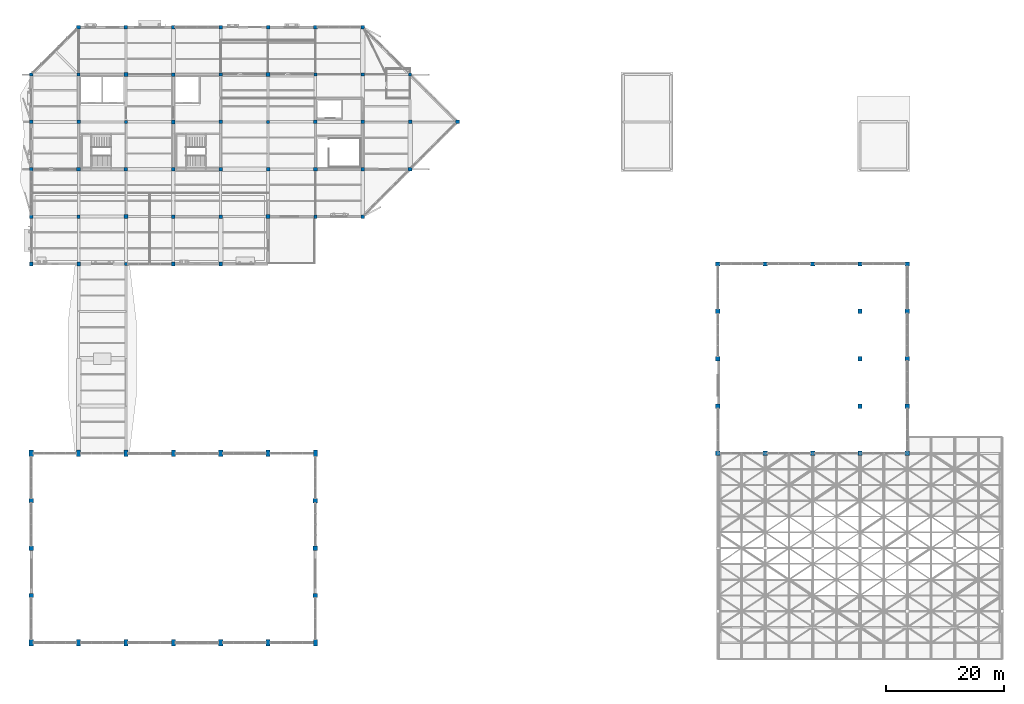
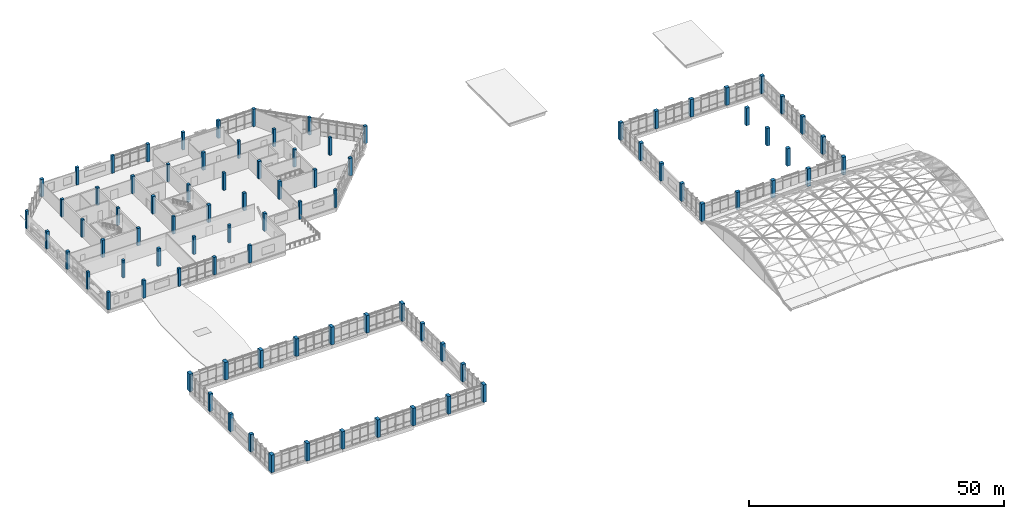
# One storey, part 1 of 72: 87 columns.
"""IFC4 building model written with IfcOpenShell, lengths in metres."""

from ifc_helpers import new_model, si_unit, direction, frame, origin, origin_2d, place, context, subcontext, project, spatial, rectangle, extrude, material, material_profile, profile_set, type_object, element, save


model = new_model("IFC4")

# Units and contexts
model_context = context("Model", 3, precision=1e-05, world=origin(), true_north=direction((0.0, 1.0)))
body_context = subcontext(model_context, "Body", "Model", "MODEL_VIEW")
ifc_project = project(units=[si_unit("LENGTHUNIT", "METRE"), si_unit("AREAUNIT", "SQUARE_METRE"), si_unit("VOLUMEUNIT", "CUBIC_METRE"), si_unit("PLANEANGLEUNIT", "RADIAN"), si_unit("MASSUNIT", "GRAM", prefix="KILO")], contexts=[model_context])

# Site, building, storey
site_placement = place(None, origin())
site = spatial("IfcSite", under=ifc_project, at=site_placement, CompositionType="ELEMENT")
building_placement = place(site_placement, origin())
building = spatial("IfcBuilding", under=site, at=building_placement, Name="Tenunan Teduh Sports Hall", CompositionType="ELEMENT")
storey_placement = place(building_placement, frame((0.0, 0.0, 15.0)))
storey = spatial("IfcBuildingStorey", under=building, at=storey_placement, Name="L03", CompositionType="ELEMENT", Elevation=15.0)

# Columns
ifc_material_1 = material(Name="Concrete C40/50", Category="concrete")
ifc_material_profile_1 = material_profile(ifc_material_1, rectangle(XDim=0.550048828125, YDim=0.550048828125, at=origin_2d()), Name="RC 550x550")
ifc_profile_set_1 = profile_set([ifc_material_profile_1], Name="Concrete C40/50")
column_type_1 = type_object("IfcColumnType", Name="COL-RC-550", PredefinedType="COLUMN", material=ifc_profile_set_1)
for number, where, z_axis, x_axis, name in (
    (1, (6.0, 86.0, 0.0), (0.0, 0.0, 1.0), (1.0, 0.0, 0.0), "COL-C-10-L03-011"),
    (2, (6.0, 110.0, 0.0), (0.0, 0.0, 1.0), (1.0, 0.0, 0.0), "COL-C-10-L03-014"),
    (3, (14.0, 86.0, 0.0), (0.0, 0.0, 1.0), (1.0, 0.0, 0.0), "COL-C-10-L03-023"),
    (4, (14.0, 110.0, 0.0), (0.0, 0.0, 1.0), (1.0, 0.0, 0.0), "COL-C-10-L03-026"),
    (5, (22.0, 78.0, 0.0), (0.0, 0.0, 1.0), (1.0, 0.0, 0.0), "COL-C-10-L03-035"),
    (6, (22.0, 102.0, 0.0), (0.0, 0.0, 1.0), (1.0, 0.0, 0.0), "COL-C-10-L03-038"),
    (7, (30.0, 94.0, 0.0), (0.0, 0.0, 1.0), (1.0, 0.0, 0.0), "COL-C-10-L03-047"),
    (8, (30.0, 118.0, 0.0), (0.0, 0.0, 1.0), (1.0, 0.0, 0.0), "COL-C-10-L03-050"),
    (9, (38.0, 86.0, 0.0), (0.0, 0.0, 1.0), (1.0, 0.0, 0.0), "COL-C-10-L03-056"),
    (10, (38.0, 110.0, 0.0), (0.0, 0.0, 1.0), (1.0, 0.0, 0.0), "COL-C-10-L03-059"),
    (11, (46.0, 102.0, 0.0), (0.0, 0.0, 1.0), (1.0, 0.0, 0.0), "COL-C-10-L03-068"),
    (12, (54.0, 86.0, 0.0), (0.0, 0.0, 1.0), (1.0, 0.0, 0.0), "COL-C-10-L03-080"),
    (13, (54.0, 110.0, 0.0), (0.0, 0.0, 1.0), (1.0, 0.0, 0.0), "COL-C-10-L03-083"),
    (14, (62.0, 86.0, 0.0), (0.0, 0.0, 1.0), (1.0, 0.0, 0.0), "COL-C-10-L03-092"),
    (15, (62.0, 110.0, 0.0), (0.0, 0.0, 1.0), (1.0, 0.0, 0.0), "COL-C-10-L03-095"),
    (16, (70.0, 110.0, 0.0), (0.0, 0.0, 1.0), (1.0, 0.0, 0.0), "COL-C-10-L03-107"),
):
    element("IfcColumn", number, at=place(storey_placement, frame(where, z_axis=z_axis, x_axis=x_axis)), inside=storey, type_object=column_type_1, Name=name, PredefinedType="COLUMN", context=body_context, shape_type="SweptSolid", body=[
        extrude(rectangle(XDim=0.550048828125, YDim=0.550048828125, at=origin_2d()), origin(), (0.0, 0.0, 1.0), 4.199951171875),
    ])
ifc_material_2 = material(Name="Concrete C40/50", Category="concrete")
ifc_material_profile_2 = material_profile(ifc_material_2, rectangle(XDim=0.60009765625, YDim=0.60009765625, at=origin_2d()), Name="RC 600x600")
ifc_profile_set_2 = profile_set([ifc_material_profile_2], Name="Concrete C40/50")
column_type_2 = type_object("IfcColumnType", Name="COL-RC-600", PredefinedType="COLUMN", material=ifc_profile_set_2)
for number, where, z_axis, x_axis, name in (
    (17, (6.0, 78.0, 0.0), (0.0, 0.0, 1.0), (1.0, 0.0, 0.0), "COL-C-09-L03-010"),
    (18, (6.0, 102.0, 0.0), (0.0, 0.0, 1.0), (1.0, 0.0, 0.0), "COL-C-09-L03-013"),
    (19, (14.0, 78.0, 0.0), (0.0, 0.0, 1.0), (1.0, 0.0, 0.0), "COL-C-09-L03-022"),
    (20, (14.0, 102.0, 0.0), (0.0, 0.0, 1.0), (1.0, 0.0, 0.0), "COL-C-09-L03-025"),
    (21, (22.0, 94.0, 0.0), (0.0, 0.0, 1.0), (1.0, 0.0, 0.0), "COL-C-09-L03-037"),
    (22, (22.0, 118.0, 0.0), (0.0, 0.0, 1.0), (1.0, 0.0, 0.0), "COL-C-09-L03-040"),
    (23, (30.0, 86.0, 0.0), (0.0, 0.0, 1.0), (1.0, 0.0, 0.0), "COL-C-09-L03-046"),
    (24, (30.0, 110.0, 0.0), (0.0, 0.0, 1.0), (1.0, 0.0, 0.0), "COL-C-09-L03-049"),
    (25, (38.0, 78.0, 0.0), (0.0, 0.0, 1.0), (1.0, 0.0, 0.0), "COL-C-09-L03-055"),
    (26, (38.0, 102.0, 0.0), (0.0, 0.0, 1.0), (1.0, 0.0, 0.0), "COL-C-09-L03-058"),
    (27, (46.0, 94.0, 0.0), (0.0, 0.0, 1.0), (1.0, 0.0, 0.0), "COL-C-09-L03-067"),
    (28, (46.0, 118.0, 0.0), (0.0, 0.0, 1.0), (1.0, 0.0, 0.0), "COL-C-09-L03-070"),
    (29, (54.0, 102.0, 0.0), (0.0, 0.0, 1.0), (1.0, 0.0, 0.0), "COL-C-09-L03-082"),
    (30, (62.0, 102.0, 0.0), (0.0, 0.0, 1.0), (1.0, 0.0, 0.0), "COL-C-09-L03-094"),
    (31, (70.0, 102.0, 0.0), (0.0, 0.0, 1.0), (1.0, 0.0, 0.0), "COL-C-09-L03-106"),
    (32, (78.0, 102.0, 0.0), (0.0, 0.0, 1.0), (1.0, 0.0, 0.0), "COL-C-09-L03-118"),
):
    element("IfcColumn", number, at=place(storey_placement, frame(where, z_axis=z_axis, x_axis=x_axis)), inside=storey, type_object=column_type_2, Name=name, PredefinedType="COLUMN", context=body_context, shape_type="SweptSolid", body=[
        extrude(rectangle(XDim=0.60009765625, YDim=0.60009765625, at=origin_2d()), origin(), (0.0, 0.0, 1.0), 4.199951171875),
    ])
ifc_material_3 = material(Name="Concrete C40/50", Category="concrete")
ifc_material_profile_3 = material_profile(ifc_material_3, rectangle(XDim=0.64990234375, YDim=0.64990234375, at=origin_2d()), Name="RC 650x650")
ifc_profile_set_3 = profile_set([ifc_material_profile_3], Name="Concrete C40/50")
column_type_3 = type_object("IfcColumnType", Name="COL-RC-650", PredefinedType="COLUMN", material=ifc_profile_set_3)
for number, where, z_axis, x_axis, name in (
    (33, (6.0, 94.0, 0.0), (0.0, 0.0, 1.0), (1.0, 0.0, 0.0), "COL-C-08-L03-012"),
    (34, (14.0, 94.0, 0.0), (0.0, 0.0, 1.0), (1.0, 0.0, 0.0), "COL-C-08-L03-024"),
    (35, (14.0, 118.0, 0.0), (0.0, 0.0, 1.0), (1.0, 0.0, 0.0), "COL-C-08-L03-027"),
    (36, (22.0, 86.0, 0.0), (0.0, 0.0, 1.0), (1.0, 0.0, 0.0), "COL-C-08-L03-036"),
    (37, (22.0, 110.0, 0.0), (0.0, 0.0, 1.0), (1.0, 0.0, 0.0), "COL-C-08-L03-039"),
    (38, (30.0, 78.0, 0.0), (0.0, 0.0, 1.0), (1.0, 0.0, 0.0), "COL-C-08-L03-045"),
    (39, (30.0, 102.0, 0.0), (0.0, 0.0, 1.0), (1.0, 0.0, 0.0), "COL-C-08-L03-048"),
    (40, (38.0, 94.0, 0.0), (0.0, 0.0, 1.0), (1.0, 0.0, 0.0), "COL-C-08-L03-057"),
    (41, (38.0, 118.0, 0.0), (0.0, 0.0, 1.0), (1.0, 0.0, 0.0), "COL-C-08-L03-060"),
    (42, (46.0, 86.0, 0.0), (0.0, 0.0, 1.0), (1.0, 0.0, 0.0), "COL-C-08-L03-066"),
    (43, (46.0, 110.0, 0.0), (0.0, 0.0, 1.0), (1.0, 0.0, 0.0), "COL-C-08-L03-069"),
    (44, (54.0, 94.0, 0.0), (0.0, 0.0, 1.0), (1.0, 0.0, 0.0), "COL-C-08-L03-081"),
    (45, (54.0, 118.0, 0.0), (0.0, 0.0, 1.0), (1.0, 0.0, 0.0), "COL-C-08-L03-084"),
    (46, (62.0, 94.0, 0.0), (0.0, 0.0, 1.0), (1.0, 0.0, 0.0), "COL-C-08-L03-093"),
    (47, (62.0, 118.0, 0.0), (0.0, 0.0, 1.0), (1.0, 0.0, 0.0), "COL-C-08-L03-096"),
    (48, (70.0, 94.0, 0.0), (0.0, 0.0, 1.0), (1.0, 0.0, 0.0), "COL-C-08-L03-105"),
):
    element("IfcColumn", number, at=place(storey_placement, frame(where, z_axis=z_axis, x_axis=x_axis)), inside=storey, type_object=column_type_3, Name=name, PredefinedType="COLUMN", context=body_context, shape_type="SweptSolid", body=[
        extrude(rectangle(XDim=0.64990234375, YDim=0.64990234375, at=origin_2d()), origin(), (0.0, 0.0, 1.0), 4.199951171875),
    ])
ifc_material_4 = material(Name="Concrete C40/50", Category="concrete")
ifc_material_profile_4 = material_profile(ifc_material_4, rectangle(XDim=0.699951171875, YDim=1.10009765625, at=origin_2d()), Name="RC 700x1100")
ifc_profile_set_4 = profile_set([ifc_material_profile_4], Name="Concrete C40/50")
column_type_4 = type_object("IfcColumnType", Name="COL-RC-700x1100", PredefinedType="COLUMN", material=ifc_profile_set_4)
for number, where, z_axis, x_axis, name in (
    (49, (6.0, 14.0, 0.0), (0.0, 0.0, 1.0), (1.0, 0.0, 0.0), "COL-C-15-L03-002"),
    (50, (6.0, 46.0, 0.0), (0.0, 0.0, 1.0), (1.0, 0.0, 0.0), "COL-C-15-L03-006"),
    (51, (14.0, 14.0, 0.0), (0.0, 0.0, 1.0), (1.0, 0.0, 0.0), "COL-C-15-L03-016"),
    (52, (14.0, 46.0, 0.0), (0.0, 0.0, 1.0), (1.0, 0.0, 0.0), "COL-C-15-L03-018"),
    (53, (22.0, 14.0, 0.0), (0.0, 0.0, 1.0), (1.0, 0.0, 0.0), "COL-C-15-L03-029"),
    (54, (22.0, 46.0, 0.0), (0.0, 0.0, 1.0), (1.0, 0.0, 0.0), "COL-C-15-L03-031"),
    (55, (30.0, 14.0, 0.0), (0.0, 0.0, 1.0), (1.0, 0.0, 0.0), "COL-C-15-L03-042"),
    (56, (30.0, 46.0, 0.0), (0.0, 0.0, 1.0), (1.0, 0.0, 0.0), "COL-C-15-L03-044"),
    (57, (38.0, 14.0, 0.0), (0.0, 0.0, 1.0), (1.0, 0.0, 0.0), "COL-C-15-L03-052"),
    (58, (38.0, 46.0, 0.0), (0.0, 0.0, 1.0), (1.0, 0.0, 0.0), "COL-C-15-L03-054"),
    (59, (46.0, 14.0, 0.0), (0.0, 0.0, 1.0), (1.0, 0.0, 0.0), "COL-C-15-L03-062"),
    (60, (46.0, 46.0, 0.0), (0.0, 0.0, 1.0), (1.0, 0.0, 0.0), "COL-C-15-L03-064"),
    (61, (54.0, 14.0, 0.0), (0.0, 0.0, 1.0), (1.0, 0.0, 0.0), "COL-C-15-L03-072"),
    (62, (54.0, 46.0, 0.0), (0.0, 0.0, 1.0), (1.0, 0.0, 0.0), "COL-C-15-L03-076"),
):
    element("IfcColumn", number, at=place(storey_placement, frame(where, z_axis=z_axis, x_axis=x_axis)), inside=storey, type_object=column_type_4, Name=name, PredefinedType="COLUMN", context=body_context, shape_type="SweptSolid", body=[
        extrude(rectangle(XDim=0.699951171875, YDim=1.10009765625, at=origin_2d()), origin(), (0.0, 0.0, 1.0), 4.199951171875),
    ])
ifc_material_5 = material(Name="Concrete C40/50", Category="concrete")
ifc_material_profile_5 = material_profile(ifc_material_5, rectangle(XDim=0.75, YDim=0.75, at=origin_2d()), Name="RC 750x750")
ifc_profile_set_5 = profile_set([ifc_material_profile_5], Name="Concrete C40/50")
column_type_5 = type_object("IfcColumnType", Name="COL-RC-750", PredefinedType="COLUMN", material=ifc_profile_set_5)
for number, where, z_axis, x_axis, name in (
    (63, (6.0, 22.0, 0.0), (0.0, 0.0, 1.0), (1.0, 0.0, 0.0), "COL-C-06-L03-003"),
    (64, (6.0, 30.0, 0.0), (0.0, 0.0, 1.0), (1.0, 0.0, 0.0), "COL-C-06-L03-004"),
    (65, (6.0, 38.0, 0.0), (0.0, 0.0, 1.0), (1.0, 0.0, 0.0), "COL-C-06-L03-005"),
    (66, (54.0, 22.0, 0.0), (0.0, 0.0, 1.0), (1.0, 0.0, 0.0), "COL-C-06-L03-073"),
    (67, (54.0, 30.0, 0.0), (0.0, 0.0, 1.0), (1.0, 0.0, 0.0), "COL-C-06-L03-074"),
    (68, (54.0, 38.0, 0.0), (0.0, 0.0, 1.0), (1.0, 0.0, 0.0), "COL-C-06-L03-075"),
    (69, (122.0, 46.0, 0.0), (0.0, 0.0, 1.0), (1.0, 0.0, 0.0), "COL-C-06-L03-156"),
    (70, (122.0, 54.0, 0.0), (0.0, 0.0, 1.0), (1.0, 0.0, 0.0), "COL-C-06-L03-157"),
    (71, (122.0, 62.0, 0.0), (0.0, 0.0, 1.0), (1.0, 0.0, 0.0), "COL-C-06-L03-158"),
    (72, (122.0, 70.0, 0.0), (0.0, 0.0, 1.0), (1.0, 0.0, 0.0), "COL-C-06-L03-159"),
    (73, (122.0, 78.0, 0.0), (0.0, 0.0, 1.0), (1.0, 0.0, 0.0), "COL-C-06-L03-160"),
    (74, (130.0, 46.0, 0.0), (0.0, 0.0, 1.0), (1.0, 0.0, 0.0), "COL-C-06-L03-169"),
    (75, (130.0, 78.0, 0.0), (0.0, 0.0, 1.0), (1.0, 0.0, 0.0), "COL-C-06-L03-170"),
    (76, (138.0, 46.0, 0.0), (0.0, 0.0, 1.0), (1.0, 0.0, 0.0), "COL-C-06-L03-179"),
    (77, (138.0, 78.0, 0.0), (0.0, 0.0, 1.0), (1.0, 0.0, 0.0), "COL-C-06-L03-180"),
    (78, (146.0, 46.0, 0.0), (0.0, 0.0, 1.0), (1.0, 0.0, 0.0), "COL-C-06-L03-189"),
    (79, (146.0, 54.0, 0.0), (0.0, 0.0, 1.0), (1.0, 0.0, 0.0), "COL-C-06-L03-190"),
    (80, (146.0, 62.0, 0.0), (0.0, 0.0, 1.0), (1.0, 0.0, 0.0), "COL-C-06-L03-191"),
    (81, (146.0, 70.0, 0.0), (0.0, 0.0, 1.0), (1.0, 0.0, 0.0), "COL-C-06-L03-192"),
    (82, (146.0, 78.0, 0.0), (0.0, 0.0, 1.0), (1.0, 0.0, 0.0), "COL-C-06-L03-193"),
    (83, (154.0, 46.0, 0.0), (0.0, 0.0, 1.0), (1.0, 0.0, 0.0), "COL-C-06-L03-202"),
    (84, (154.0, 54.0, 0.0), (0.0, 0.0, 1.0), (1.0, 0.0, 0.0), "COL-C-06-L03-203"),
    (85, (154.0, 62.0, 0.0), (0.0, 0.0, 1.0), (1.0, 0.0, 0.0), "COL-C-06-L03-204"),
    (86, (154.0, 70.0, 0.0), (0.0, 0.0, 1.0), (1.0, 0.0, 0.0), "COL-C-06-L03-205"),
    (87, (154.0, 78.0, 0.0), (0.0, 0.0, 1.0), (1.0, 0.0, 0.0), "COL-C-06-L03-206"),
):
    element("IfcColumn", number, at=place(storey_placement, frame(where, z_axis=z_axis, x_axis=x_axis)), inside=storey, type_object=column_type_5, Name=name, PredefinedType="COLUMN", context=body_context, shape_type="SweptSolid", body=[
        extrude(rectangle(XDim=0.75, YDim=0.75, at=origin_2d()), origin(), (0.0, 0.0, 1.0), 4.199951171875),
    ])

save(model, "model.ifc")
